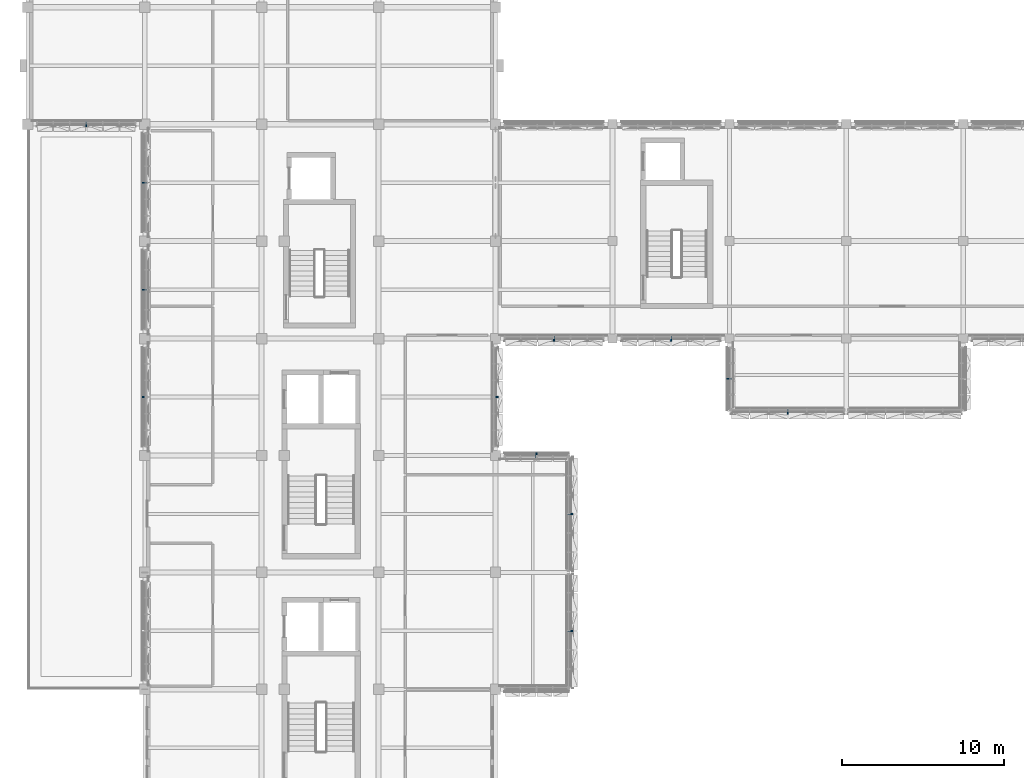
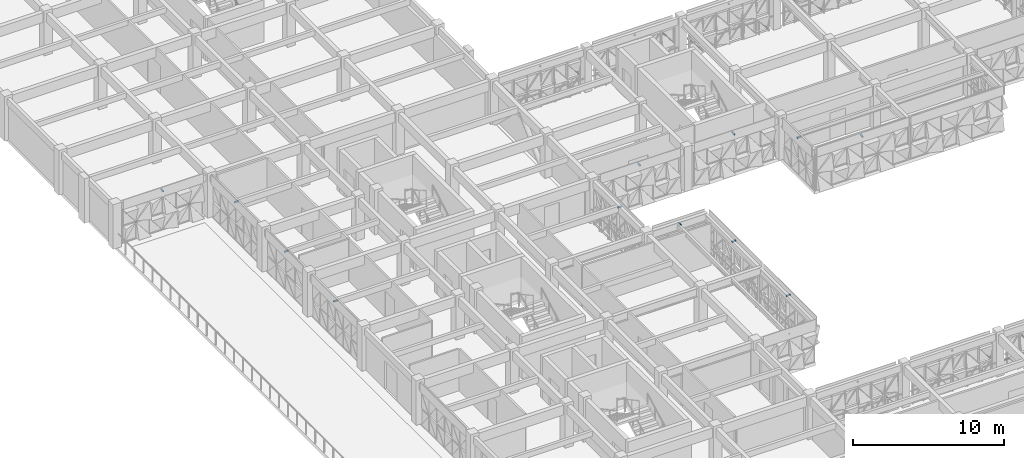
# One storey, part 60 of 85: 12 discrete accessories.
"""IFC4 building model written with IfcOpenShell, lengths in metres."""

import ifcopenshell
import ifcopenshell.guid

model = None  # the IFC model being written
_history = None  # IfcOwnerHistory: only IFC2X3 demands one
_inside = {}  # id of a spatial element -> (the spatial element, [elements in it])
_under = {}  # id of a project, library or spatial element -> (it, [spatial elements below it])
_declared = {}  # id of a project -> (the project, [libraries it declares])
_typed = {}  # id of a type object -> (the type object, [elements of that type])
_made_of = {}  # id of a material, layer set ... -> (it, [elements and type objects made of it])


def new_model(schema):
    """Start an empty IFC model of exactly this schema.

    Asked for "IFC4X3", IfcOpenShell would pick the latest addendum, in which some entities
    have other attributes; the version numbers below select the first issue.
    IFC2X3 requires an IfcOwnerHistory on every rooted entity: one is made here for all.
    """
    global model, _history
    if schema == "IFC4X3":
        model = ifcopenshell.file(schema_version=(4, 3, 0, 0))
    else:
        model = ifcopenshell.file(schema=schema)
    _inside.clear()
    _under.clear()
    _declared.clear()
    _typed.clear()
    _made_of.clear()
    _history = None
    if model.schema == "IFC2X3":
        org = make("IfcOrganization", Name="unknown")
        user = make(
            "IfcPersonAndOrganization",
            ThePerson=make("IfcPerson", FamilyName="unknown"),
            TheOrganization=org,
        )
        app = make(
            "IfcApplication",
            ApplicationDeveloper=org,
            Version="unknown",
            ApplicationFullName="unknown",
            ApplicationIdentifier="unknown",
        )
        _history = make(
            "IfcOwnerHistory",
            OwningUser=user,
            OwningApplication=app,
            ChangeAction="ADDED",
            CreationDate=0,
        )
    return model


def make(cls, **values):
    """One entity of the class cls with the attributes given. An attribute that is None is left unset."""
    return model.create_entity(
        cls, **{name: value for name, value in values.items() if value is not None}
    )


def rooted(cls, **values):
    """An entity with a GlobalId (a new one), such as an element, a storey or a relation."""
    return make(cls, GlobalId=ifcopenshell.guid.new(), OwnerHistory=_history, **values)


def si_unit(unit_type, name, prefix=None):
    """IfcSIUnit, for example si_unit("LENGTHUNIT", "METRE", prefix="MILLI")."""
    return make("IfcSIUnit", UnitType=unit_type, Prefix=prefix, Name=name)


def assignment(units):
    """IfcUnitAssignment: the units of a project."""
    return None if units is None else make("IfcUnitAssignment", Units=units)


def point(xyz):
    """IfcCartesianPoint."""
    return None if xyz is None else make("IfcCartesianPoint", Coordinates=xyz)


def direction(xyz):
    """IfcDirection."""
    return None if xyz is None else make("IfcDirection", DirectionRatios=xyz)


def frame(location, z_axis=None, x_axis=None):
    """IfcAxis2Placement3D, a coordinate frame: its origin and axes. An axis left out is left unset."""
    return make(
        "IfcAxis2Placement3D",
        Location=point(location),
        Axis=direction(z_axis),
        RefDirection=direction(x_axis),
    )


def frame_2d(location, x_axis=None):
    """IfcAxis2Placement2D, a coordinate frame in the plane: its origin and x axis."""
    return make(
        "IfcAxis2Placement2D", Location=point(location), RefDirection=direction(x_axis)
    )


def origin():
    """The frame at (0, 0, 0) with its axes left unset."""
    return frame((0.0, 0.0, 0.0))


def origin_2d():
    """The frame at (0, 0) in the plane with its x axis left unset."""
    return frame_2d((0.0, 0.0))


def place(relative_to, where):
    """IfcLocalPlacement: puts the frame where relative to a parent placement (None: the world)."""
    return make(
        "IfcLocalPlacement", PlacementRelTo=relative_to, RelativePlacement=where
    )


def context(
    kind, dimensions, precision=None, world=None, true_north=None, identifier=None
):
    """IfcGeometricRepresentationContext, for example the 3D "Model" context."""
    return make(
        "IfcGeometricRepresentationContext",
        ContextIdentifier=identifier,
        ContextType=kind,
        CoordinateSpaceDimension=dimensions,
        Precision=precision,
        WorldCoordinateSystem=world,
        TrueNorth=true_north,
    )


def subcontext(parent, identifier, kind, view, scale=None):
    """IfcGeometricRepresentationSubContext, for example "Body" below "Model"."""
    return make(
        "IfcGeometricRepresentationSubContext",
        ContextIdentifier=identifier,
        ContextType=kind,
        ParentContext=parent,
        TargetScale=scale,
        TargetView=view,
    )


def project(units=None, contexts=None):
    """IfcProject with its units and contexts."""
    return rooted(
        "IfcProject",
        Name="project",
        RepresentationContexts=contexts,
        UnitsInContext=assignment(units),
    )


def spatial(cls, under=None, at=None, **own):
    """A site, building, storey or space (cls), placed at a placement, below another one or the project."""
    s = rooted(cls, ObjectPlacement=at, **own)
    if under is not None:
        _under.setdefault(under.id(), (under, []))[1].append(s)
    return s


def profile(cls, at=None, kind="AREA", **sizes):
    """A parametric profile (cls). Its sizes go by their IFC names, for example OverallWidth=200.0."""
    return make(cls, ProfileType=kind, Position=at, **sizes)


def rectangle(**sizes):
    """IfcRectangleProfileDef."""
    return profile("IfcRectangleProfileDef", **sizes)


def extrude(swept, where, along, depth):
    """IfcExtrudedAreaSolid: the profile swept, set in the frame where, extruded along a direction by depth."""
    return make(
        "IfcExtrudedAreaSolid",
        SweptArea=swept,
        Position=where,
        ExtrudedDirection=direction(along),
        Depth=depth,
    )


def shape(context_of_items, identifier, shape_type, items):
    """IfcShapeRepresentation: the items that make up one representation, for example the "Body"."""
    return make(
        "IfcShapeRepresentation",
        ContextOfItems=context_of_items,
        RepresentationIdentifier=identifier,
        RepresentationType=shape_type,
        Items=items,
    )


def material(Name=None, Category=None):
    """IfcMaterial."""
    return make("IfcMaterial", Name=Name, Category=Category)


def made_of(thing, what):
    """Note that an element or type object is made of a material, layer set ...; save() writes the relation."""
    if what is not None:
        _made_of.setdefault(what.id(), (what, []))[1].append(thing)
    return thing


def type_object(cls, material=None, **own):
    """A type object (cls), such as IfcWallType, which elements share."""
    return made_of(rooted(cls, **own), material)


def element(
    cls,
    number,
    at=None,
    inside=None,
    cuts=None,
    type_object=None,
    material=None,
    context=None,
    identifier="Body",
    shape_type=None,
    held_by="IfcProductDefinitionShape",
    body=None,
    shapes=None,
    **own,
):
    """One element of the class cls, such as IfcWall. Its Tag is "e" and its number.

    at: its placement. inside: the storey or other place that contains it. cuts: it is an
    opening in that element (IfcRelVoidsElement). A single representation is given by context,
    identifier, shape_type and body (its items); several are given by shapes. held_by: the class
    of the entity that holds the representations. save() writes the other relations.
    """
    e = rooted(cls, Tag="e%d" % number, ObjectPlacement=at, **own)
    if body is not None:
        shapes = [shape(context, identifier, shape_type, body)]
    if shapes is not None:
        e.Representation = make(held_by, Representations=shapes)
    if inside is not None:
        _inside.setdefault(inside.id(), (inside, []))[1].append(e)
    if cuts is not None:
        rooted(
            "IfcRelVoidsElement", RelatingBuildingElement=cuts, RelatedOpeningElement=e
        )
    if type_object is not None:
        _typed.setdefault(type_object.id(), (type_object, []))[1].append(e)
    return made_of(e, material)


def aggregate(whole, parts):
    """IfcRelAggregates: a whole, such as a stair, and the parts it consists of."""
    return rooted("IfcRelAggregates", RelatingObject=whole, RelatedObjects=parts)


def save(model, path):
    """Write the relations noted so far, then the file.

    IfcRelAggregates (storeys below a building ...), IfcRelContainedInSpatialStructure (elements
    in a storey), IfcRelDefinesByType, IfcRelAssociatesMaterial and IfcRelDeclares: one each for
    every whole, place, type object, material and project.
    """
    for whole, parts in _under.values():
        aggregate(whole, parts)
    for where, things in _inside.values():
        rooted(
            "IfcRelContainedInSpatialStructure",
            RelatedElements=things,
            RelatingStructure=where,
        )
    for kind, things in _typed.values():
        rooted("IfcRelDefinesByType", RelatedObjects=things, RelatingType=kind)
    for what, things in _made_of.values():
        rooted("IfcRelAssociatesMaterial", RelatedObjects=things, RelatingMaterial=what)
    for by, libraries in _declared.values():
        rooted("IfcRelDeclares", RelatingContext=by, RelatedDefinitions=libraries)
    model.write(path)


model = new_model("IFC4")

# Units and contexts
model_context = context("Model", 3, precision=1e-05, world=origin(), true_north=direction((0.0, 1.0)))
body_context = subcontext(model_context, "Body", "Model", "MODEL_VIEW")
ifc_project = project(units=[si_unit("LENGTHUNIT", "METRE"), si_unit("AREAUNIT", "SQUARE_METRE"), si_unit("VOLUMEUNIT", "CUBIC_METRE"), si_unit("PLANEANGLEUNIT", "RADIAN"), si_unit("MASSUNIT", "GRAM", prefix="KILO")], contexts=[model_context])

# Site, building, storey
site_placement = place(None, origin())
site = spatial("IfcSite", under=ifc_project, at=site_placement, CompositionType="ELEMENT")
building_placement = place(site_placement, origin())
building = spatial("IfcBuilding", under=site, at=building_placement, Name="Alvorim Cloister Faculty of Sciences", CompositionType="ELEMENT")
storey_placement = place(building_placement, frame((0.0, 0.0, 8.550048828125)))
storey = spatial("IfcBuildingStorey", under=building, at=storey_placement, Name="L02", CompositionType="ELEMENT", Elevation=8.550048828125)

# Discrete accessories
ifc_material = material(Name="Aluminium Alloy 6063-T6", Category="aluminium")
discrete_accessory_type = type_object("IfcDiscreteAccessoryType", Name="ACC-DIAG-BAR", PredefinedType="BRACKET", material=ifc_material)
for number, where, z_axis, x_axis, name in (
    (1, (7.340087890625, 39.60009765625, 3.224853515625), (-1.0, 0.0, 0.0), (0.0, -1.0, 0.0), "Slab-Edge Fascia Tie Bracket ACC-00512"),
    (2, (7.340087890625, 46.199951171875, 3.224853515625), (-1.0, 0.0, 0.0), (0.0, -1.0, 0.0), "Slab-Edge Fascia Tie Bracket ACC-00521"),
    (3, (7.340087890625, 52.800048828125, 3.224853515625), (-1.0, 0.0, 0.0), (0.0, -1.0, 0.0), "Slab-Edge Fascia Tie Bracket ACC-00534"),
    (4, (3.60009765625, 56.5400390625, 3.224853515625), (0.0, -1.0, 0.0), (1.0, 0.0, 0.0), "Slab-Edge Fascia Tie Bracket ACC-00547"),
    (5, (46.800048828125, 38.840087890625, 3.228515625), (0.0, -1.0, 0.0), (1.0, 0.0, 0.0), "Slab-Edge Fascia Tie Bracket ACC-00682"),
    (6, (43.340087890625, 40.719970703125, 3.15283203125), (-1.0, 0.0, 0.0), (0.0, -1.0, 0.0), "Slab-Edge Fascia Tie Bracket ACC-00691"),
    (7, (39.60009765625, 43.340087890625, 3.224853515625), (0.0, -1.0, 0.0), (1.0, 0.0, 0.0), "Slab-Edge Fascia Tie Bracket ACC-00704"),
    (8, (32.39990234375, 43.340087890625, 3.224853515625), (0.0, -1.0, 0.0), (1.0, 0.0, 0.0), "Slab-Edge Fascia Tie Bracket ACC-00717"),
    (9, (28.659912109375, 39.60009765625, 3.224853515625), (1.0, 0.0, 0.0), (0.0, 1.0, 0.0), "Slab-Edge Fascia Tie Bracket ACC-00730"),
):
    element("IfcDiscreteAccessory", number, at=place(storey_placement, frame(where, z_axis=z_axis, x_axis=x_axis)), inside=storey, type_object=discrete_accessory_type, Name=name, PredefinedType="BRACKET", context=body_context, shape_type="SweptSolid", body=[
        extrude(rectangle(XDim=0.080078125, YDim=0.080078125, at=origin_2d()), origin(), (0.0, 0.0, 1.0), 0.300048828125),
    ])
discrete_accessory_placement = place(storey_placement, frame((31.330078125, 35.860107421875, 3.15283203125), z_axis=(0.0, 1.0, 0.0), x_axis=(-1.0, 0.0, 0.0)))
element("IfcDiscreteAccessory", 10, at=discrete_accessory_placement, inside=storey, type_object=discrete_accessory_type, Name="Slab-Edge Fascia Tie Bracket ACC-00739", PredefinedType="BRACKET", context=body_context, shape_type="SweptSolid", body=[
    extrude(rectangle(XDim=0.080078125, YDim=0.080078125, at=origin_2d()), origin(), (0.0, 0.0, 1.0), 0.2998046875),
])
for number, where, z_axis, x_axis, name in (
    (11, (33.260009765625, 32.39990234375, 3.228515625), (1.0, 0.0, 0.0), (0.0, 1.0, 0.0), "Slab-Edge Fascia Tie Bracket ACC-00752"),
    (12, (33.260009765625, 25.199951171875, 3.228515625), (1.0, 0.0, 0.0), (0.0, 1.0, 0.0), "Slab-Edge Fascia Tie Bracket ACC-00765"),
):
    element("IfcDiscreteAccessory", number, at=place(storey_placement, frame(where, z_axis=z_axis, x_axis=x_axis)), inside=storey, type_object=discrete_accessory_type, Name=name, PredefinedType="BRACKET", context=body_context, shape_type="SweptSolid", body=[
        extrude(rectangle(XDim=0.080078125, YDim=0.080078125, at=origin_2d()), origin(), (0.0, 0.0, 1.0), 0.300048828125),
    ])

save(model, "model.ifc")
